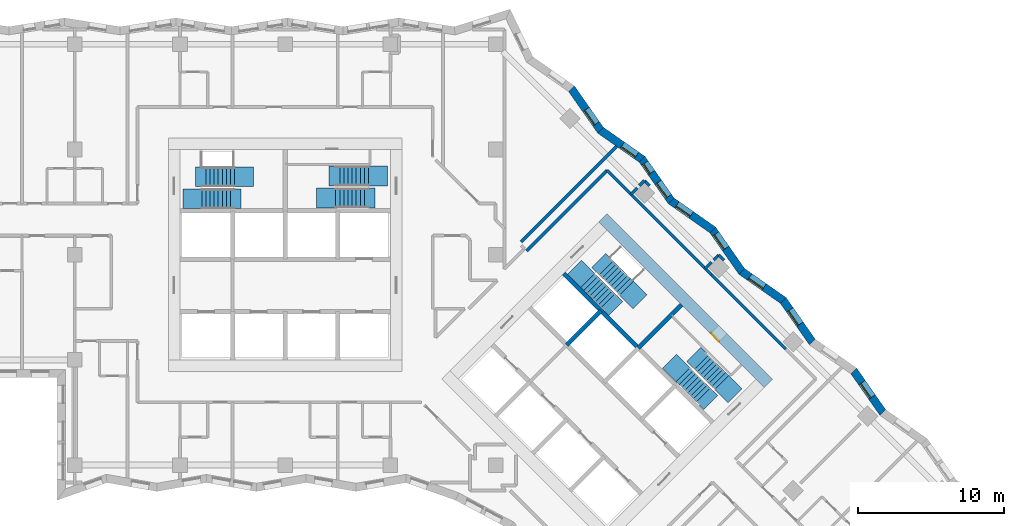
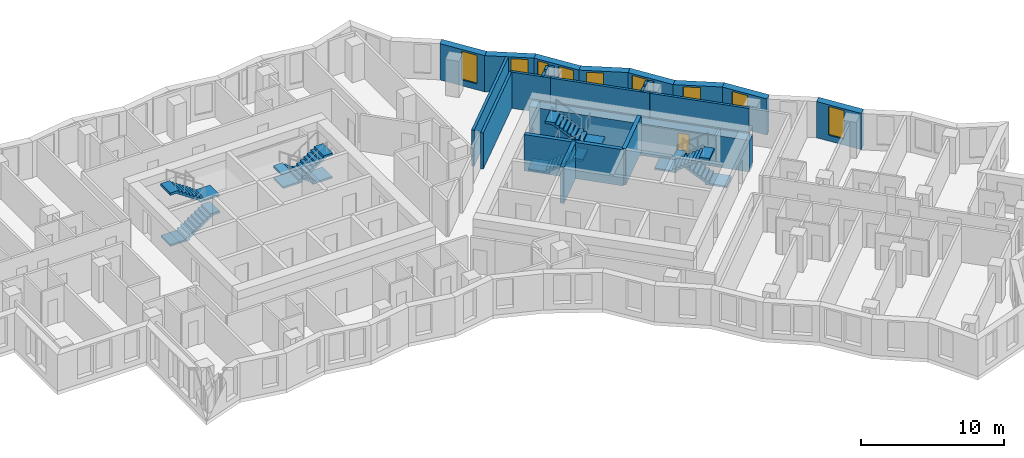
# One storey, part 11 of 13: 23 walls, 9 windows, 8 stair flights, 1 door, 10 openings, 4 elements without a shape of their own.
"""IFC4 building model written with IfcOpenShell, lengths in metres."""

from ifc_helpers import new_model, si_unit, direction, frame, frame_2d, origin, place, context, subcontext, project, spatial, polyline, rectangle, outline, extrude, material, layer, layer_set, type_object, element, fill, aggregate, save


model = new_model("IFC4")

# Units and contexts
model_context = context("Model", 3, precision=1e-05, world=origin(), true_north=direction((0.0, 1.0)))
body_context = subcontext(model_context, "Body", "Model", "MODEL_VIEW")
ifc_project = project(units=[si_unit("LENGTHUNIT", "METRE"), si_unit("AREAUNIT", "SQUARE_METRE"), si_unit("VOLUMEUNIT", "CUBIC_METRE"), si_unit("PLANEANGLEUNIT", "RADIAN"), si_unit("MASSUNIT", "GRAM", prefix="KILO")], contexts=[model_context])

# Site, building, storey
site_placement = place(None, origin())
site = spatial("IfcSite", under=ifc_project, at=site_placement, CompositionType="ELEMENT")
building_placement = place(site_placement, origin())
building = spatial("IfcBuilding", under=site, at=building_placement, Name="Windrow Commons", CompositionType="ELEMENT")
storey_placement = place(building_placement, frame((0.0, 0.0, 115.2)))
storey = spatial("IfcBuildingStorey", under=building, at=storey_placement, Name="L31", CompositionType="ELEMENT", Elevation=115.2)

# Wall, opening, window
ifc_material_1 = material(Name="Brick masonry, red clay brick", Category="masonry")
ifc_layer_1 = layer(ifc_material_1, 0.55)
ifc_layer_set_1 = layer_set([ifc_layer_1], Name="Brick facade wall 550")
wall_type_1 = type_object("IfcWallType", Name="Brick facade wall 550", PredefinedType="SOLIDWALL", material=ifc_layer_set_1)
wall_1_placement = place(storey_placement, frame((105.7016, 46.8005, 0.0), z_axis=(0.0, 0.0, 1.0), x_axis=(-0.5733365071, 0.8193199922, 0.0)))
wall_1 = element("IfcWall", 1, at=wall_1_placement, inside=storey, type_object=wall_type_1, Name="Brick facade wall L31 10", PredefinedType="SOLIDWALL", context=body_context, shape_type="SweptSolid", body=[
    extrude(outline(polyline([(0.0486, -0.275), (3.5154, -0.275), (3.4182, 0.275), (-0.0486, 0.275), (0.0486, -0.275)])), origin(), (0.0, 0.0, 1.0), 3.1),
])
opening_1_placement = place(wall_1_placement, frame((1.2925, 0.0, 0.5)))
opening_1 = element("IfcOpeningElement", 2, at=opening_1_placement, cuts=wall_1, Name="Opening W7D", PredefinedType="OPENING", context=body_context, shape_type="SweptSolid", body=[
    extrude(rectangle(XDim=1.2, YDim=2.45, at=frame_2d((0.6, 1.225))), frame((0.0, 0.285, 0.0), z_axis=(0.0, -1.0, 0.0), x_axis=(1.0, 0.0, 0.0)), (0.0, 0.0, 1.0), 0.57),
])
ifc_material_2 = material(Name="Clear float glass in anodised aluminium frame", Category="aluminium")
window_type_1 = type_object("IfcWindowType", Name="Window W7 notch 1200x2450", PartitioningType="SINGLE_PANEL", PredefinedType="WINDOW", material=ifc_material_2)
window_1_placement = place(opening_1_placement, origin())
window_1 = element("IfcWindow", 3, at=window_1_placement, inside=storey, type_object=window_type_1, Name="Window L31 10.1", OverallHeight=2.45, OverallWidth=1.2, PartitioningType="SINGLE_PANEL", PredefinedType="WINDOW", context=body_context, shape_type="SweptSolid", body=[
    extrude(rectangle(XDim=1.2, YDim=2.45, at=frame_2d((0.6, 1.225))), frame((0.0, 0.155, 0.0), z_axis=(0.0, -1.0, 0.0), x_axis=(1.0, 0.0, 0.0)), (0.0, 0.0, 1.0), 0.06),
])
fill(opening_1, window_1)

wall_2_placement = place(storey_placement, frame((100.8735, 51.6286, 0.0), z_axis=(0.0, 0.0, 1.0), x_axis=(-0.5733306936, 0.8193240603, 0.0)))
wall_2 = element("IfcWall", 4, at=wall_2_placement, inside=storey, type_object=wall_type_1, Name="Brick facade wall L31 12", PredefinedType="SOLIDWALL", context=body_context, shape_type="SweptSolid", body=[
    extrude(outline(polyline([(0.0486, -0.275), (3.5154, -0.275), (3.4182, 0.275), (-0.0486, 0.275), (0.0486, -0.275)])), origin(), (0.0, 0.0, 1.0), 3.1),
])
opening_2_placement = place(wall_2_placement, frame((1.4814, 0.0, 0.5)))
opening_2 = element("IfcOpeningElement", 5, at=opening_2_placement, cuts=wall_2, Name="Opening W7D", PredefinedType="OPENING", context=body_context, shape_type="SweptSolid", body=[
    extrude(rectangle(XDim=1.2, YDim=2.45, at=frame_2d((0.6, 1.225))), frame((0.0, 0.285, 0.0), z_axis=(0.0, -1.0, 0.0), x_axis=(1.0, 0.0, 0.0)), (0.0, 0.0, 1.0), 0.57),
])
window_2_placement = place(opening_2_placement, origin())
window_2 = element("IfcWindow", 6, at=window_2_placement, inside=storey, type_object=window_type_1, Name="Window L31 12.1", OverallHeight=2.45, OverallWidth=1.2, PartitioningType="SINGLE_PANEL", PredefinedType="WINDOW", context=body_context, shape_type="SweptSolid", body=[
    extrude(rectangle(XDim=1.2, YDim=2.45, at=frame_2d((0.6, 1.225))), frame((0.0, 0.155, 0.0), z_axis=(0.0, -1.0, 0.0), x_axis=(1.0, 0.0, 0.0)), (0.0, 0.0, 1.0), 0.06),
])
fill(opening_2, window_2)

wall_3_placement = place(storey_placement, frame((98.8859, 54.469, 0.0), z_axis=(0.0, 0.0, 1.0), x_axis=(-0.8193105103, 0.5733500568, 0.0)))
wall_3 = element("IfcWall", 7, at=wall_3_placement, inside=storey, type_object=wall_type_1, Name="Brick facade wall L31 13", PredefinedType="SOLIDWALL", context=body_context, shape_type="SweptSolid", body=[
    extrude(outline(polyline([(-0.0486, -0.275), (3.4182, -0.275), (3.5154, 0.275), (0.0486, 0.275), (-0.0486, -0.275)])), origin(), (0.0, 0.0, 1.0), 3.1),
])
opening_3_placement = place(wall_3_placement, frame((1.6002, 0.0, 0.5)))
opening_3 = element("IfcOpeningElement", 8, at=opening_3_placement, cuts=wall_3, Name="Opening W7D", PredefinedType="OPENING", context=body_context, shape_type="SweptSolid", body=[
    extrude(rectangle(XDim=1.2, YDim=2.45, at=frame_2d((0.6, 1.225))), frame((0.0, 0.285, 0.0), z_axis=(0.0, -1.0, 0.0), x_axis=(1.0, 0.0, 0.0)), (0.0, 0.0, 1.0), 0.57),
])
window_3_placement = place(opening_3_placement, origin())
window_3 = element("IfcWindow", 9, at=window_3_placement, inside=storey, type_object=window_type_1, Name="Window L31 13.1", OverallHeight=2.45, OverallWidth=1.2, PartitioningType="SINGLE_PANEL", PredefinedType="WINDOW", context=body_context, shape_type="SweptSolid", body=[
    extrude(rectangle(XDim=1.2, YDim=2.45, at=frame_2d((0.6, 1.225))), frame((0.0, 0.155, 0.0), z_axis=(0.0, -1.0, 0.0), x_axis=(1.0, 0.0, 0.0)), (0.0, 0.0, 1.0), 0.06),
])
fill(opening_3, window_3)

wall_4_placement = place(storey_placement, frame((96.0455, 56.4567, 0.0), z_axis=(0.0, 0.0, 1.0), x_axis=(-0.5733500568, 0.8193105103, 0.0)))
wall_4 = element("IfcWall", 10, at=wall_4_placement, inside=storey, type_object=wall_type_1, Name="Brick facade wall L31 14", PredefinedType="SOLIDWALL", context=body_context, shape_type="SweptSolid", body=[
    extrude(outline(polyline([(0.0486, -0.275), (3.5154, -0.275), (3.4182, 0.275), (-0.0486, 0.275), (0.0486, -0.275)])), origin(), (0.0, 0.0, 1.0), 3.1),
])
opening_4_placement = place(wall_4_placement, frame((1.9204, 0.0, 0.5)))
opening_4 = element("IfcOpeningElement", 11, at=opening_4_placement, cuts=wall_4, Name="Opening W7D", PredefinedType="OPENING", context=body_context, shape_type="SweptSolid", body=[
    extrude(rectangle(XDim=1.2, YDim=2.45, at=frame_2d((0.6, 1.225))), frame((0.0, 0.285, 0.0), z_axis=(0.0, -1.0, 0.0), x_axis=(1.0, 0.0, 0.0)), (0.0, 0.0, 1.0), 0.57),
])
window_4_placement = place(opening_4_placement, origin())
window_4 = element("IfcWindow", 12, at=window_4_placement, inside=storey, type_object=window_type_1, Name="Window L31 14.1", OverallHeight=2.45, OverallWidth=1.2, PartitioningType="SINGLE_PANEL", PredefinedType="WINDOW", context=body_context, shape_type="SweptSolid", body=[
    extrude(rectangle(XDim=1.2, YDim=2.45, at=frame_2d((0.6, 1.225))), frame((0.0, 0.155, 0.0), z_axis=(0.0, -1.0, 0.0), x_axis=(1.0, 0.0, 0.0)), (0.0, 0.0, 1.0), 0.06),
])
fill(opening_4, window_4)

wall_5_placement = place(storey_placement, frame((94.0578, 59.2971, 0.0), z_axis=(0.0, 0.0, 1.0), x_axis=(-0.8193240603, 0.5733306936, 0.0)))
wall_5 = element("IfcWall", 13, at=wall_5_placement, inside=storey, type_object=wall_type_1, Name="Brick facade wall L31 15", PredefinedType="SOLIDWALL", context=body_context, shape_type="SweptSolid", body=[
    extrude(outline(polyline([(-0.0486, -0.275), (3.4182, -0.275), (3.5154, 0.275), (0.0486, 0.275), (-0.0486, -0.275)])), origin(), (0.0, 0.0, 1.0), 3.1),
])
opening_5_placement = place(wall_5_placement, frame((1.7891, 0.0, 0.5)))
opening_5 = element("IfcOpeningElement", 14, at=opening_5_placement, cuts=wall_5, Name="Opening W7D", PredefinedType="OPENING", context=body_context, shape_type="SweptSolid", body=[
    extrude(rectangle(XDim=1.2, YDim=2.45, at=frame_2d((0.6, 1.225))), frame((0.0, 0.285, 0.0), z_axis=(0.0, -1.0, 0.0), x_axis=(1.0, 0.0, 0.0)), (0.0, 0.0, 1.0), 0.57),
])
window_5_placement = place(opening_5_placement, origin())
window_5 = element("IfcWindow", 15, at=window_5_placement, inside=storey, type_object=window_type_1, Name="Window L31 15.1", OverallHeight=2.45, OverallWidth=1.2, PartitioningType="SINGLE_PANEL", PredefinedType="WINDOW", context=body_context, shape_type="SweptSolid", body=[
    extrude(rectangle(XDim=1.2, YDim=2.45, at=frame_2d((0.6, 1.225))), frame((0.0, 0.155, 0.0), z_axis=(0.0, -1.0, 0.0), x_axis=(1.0, 0.0, 0.0)), (0.0, 0.0, 1.0), 0.06),
])
fill(opening_5, window_5)

# Wall, openings, windows
wall_6_placement = place(storey_placement, frame((91.2174, 61.2847, 0.0), z_axis=(0.0, 0.0, 1.0), x_axis=(-0.5733306936, 0.8193240603, 0.0)))
wall_6 = element("IfcWall", 16, at=wall_6_placement, inside=storey, type_object=wall_type_1, Name="Brick facade wall L31 16", PredefinedType="SOLIDWALL", context=body_context, shape_type="SweptSolid", body=[
    extrude(outline(polyline([(0.0486, -0.275), (3.5154, -0.275), (3.4182, 0.275), (-0.0486, 0.275), (0.0486, -0.275)])), origin(), (0.0, 0.0, 1.0), 3.1),
])
opening_6_placement = place(wall_6_placement, frame((0.3502, 0.0, 0.5)))
opening_6 = element("IfcOpeningElement", 17, at=opening_6_placement, cuts=wall_6, Name="Opening W7D", PredefinedType="OPENING", context=body_context, shape_type="SweptSolid", body=[
    extrude(rectangle(XDim=1.2, YDim=2.45, at=frame_2d((0.6, 1.225))), frame((0.0, 0.285, 0.0), z_axis=(0.0, -1.0, 0.0), x_axis=(1.0, 0.0, 0.0)), (0.0, 0.0, 1.0), 0.57),
])
opening_7_placement = place(wall_6_placement, frame((2.3514, 0.0, 0.45)))
opening_7 = element("IfcOpeningElement", 18, at=opening_7_placement, cuts=wall_6, Name="Opening W1N", PredefinedType="OPENING", context=body_context, shape_type="SweptSolid", body=[
    extrude(rectangle(XDim=0.8, YDim=2.5, at=frame_2d((0.4, 1.25))), frame((0.0, 0.285, 0.0), z_axis=(0.0, -1.0, 0.0), x_axis=(1.0, 0.0, 0.0)), (0.0, 0.0, 1.0), 0.57),
])
ifc_material_3 = material(Name="Clear float glass in anodised aluminium frame", Category="aluminium")
window_type_2 = type_object("IfcWindowType", Name="Window W1N slit 800x2500", PartitioningType="SINGLE_PANEL", PredefinedType="WINDOW", material=ifc_material_3)
window_6_placement = place(opening_7_placement, origin())
window_6 = element("IfcWindow", 19, at=window_6_placement, inside=storey, type_object=window_type_2, Name="Window L31 16.2A", OverallHeight=2.5, OverallWidth=0.8, PartitioningType="SINGLE_PANEL", PredefinedType="WINDOW", context=body_context, shape_type="SweptSolid", body=[
    extrude(rectangle(XDim=0.8, YDim=2.5, at=frame_2d((0.4, 1.25))), frame((0.0, 0.155, 0.0), z_axis=(0.0, -1.0, 0.0), x_axis=(1.0, 0.0, 0.0)), (0.0, 0.0, 1.0), 0.06),
])
fill(opening_7, window_6)
window_7_placement = place(opening_6_placement, origin())
window_7 = element("IfcWindow", 20, at=window_7_placement, inside=storey, type_object=window_type_1, Name="Window L31 16.1", OverallHeight=2.45, OverallWidth=1.2, PartitioningType="SINGLE_PANEL", PredefinedType="WINDOW", context=body_context, shape_type="SweptSolid", body=[
    extrude(rectangle(XDim=1.2, YDim=2.45, at=frame_2d((0.6, 1.225))), frame((0.0, 0.155, 0.0), z_axis=(0.0, -1.0, 0.0), x_axis=(1.0, 0.0, 0.0)), (0.0, 0.0, 1.0), 0.06),
])
fill(opening_6, window_7)

# Wall, opening, window
wall_7_placement = place(storey_placement, frame((89.2298, 64.1251, 0.0), z_axis=(0.0, 0.0, 1.0), x_axis=(-0.8193105103, 0.5733500568, 0.0)))
wall_7 = element("IfcWall", 21, at=wall_7_placement, inside=storey, type_object=wall_type_1, Name="Brick facade wall L31 17", PredefinedType="SOLIDWALL", context=body_context, shape_type="SweptSolid", body=[
    extrude(outline(polyline([(-0.0486, -0.275), (3.4182, -0.275), (3.5154, 0.275), (0.0486, 0.275), (-0.0486, -0.275)])), origin(), (0.0, 0.0, 1.0), 3.1),
])
opening_8_placement = place(wall_7_placement, frame((0.4689, 0.0, 0.5)))
opening_8 = element("IfcOpeningElement", 22, at=opening_8_placement, cuts=wall_7, Name="Opening W7D", PredefinedType="OPENING", context=body_context, shape_type="SweptSolid", body=[
    extrude(rectangle(XDim=1.2, YDim=2.45, at=frame_2d((0.6, 1.225))), frame((0.0, 0.285, 0.0), z_axis=(0.0, -1.0, 0.0), x_axis=(1.0, 0.0, 0.0)), (0.0, 0.0, 1.0), 0.57),
])
window_8_placement = place(opening_8_placement, origin())
window_8 = element("IfcWindow", 23, at=window_8_placement, inside=storey, type_object=window_type_1, Name="Window L31 17.1", OverallHeight=2.45, OverallWidth=1.2, PartitioningType="SINGLE_PANEL", PredefinedType="WINDOW", context=body_context, shape_type="SweptSolid", body=[
    extrude(rectangle(XDim=1.2, YDim=2.45, at=frame_2d((0.6, 1.225))), frame((0.0, 0.155, 0.0), z_axis=(0.0, -1.0, 0.0), x_axis=(1.0, 0.0, 0.0)), (0.0, 0.0, 1.0), 0.06),
])
fill(opening_8, window_8)

wall_8_placement = place(storey_placement, frame((86.3894, 66.1128, 0.0), z_axis=(0.0, 0.0, 1.0), x_axis=(-0.5733500568, 0.8193105103, 0.0)))
wall_8 = element("IfcWall", 24, at=wall_8_placement, inside=storey, type_object=wall_type_1, Name="Brick facade wall L31 18", PredefinedType="SOLIDWALL", context=body_context, shape_type="SweptSolid", body=[
    extrude(outline(polyline([(0.0486, -0.275), (3.5154, -0.275), (3.4182, 0.275), (-0.0486, 0.275), (0.0486, -0.275)])), origin(), (0.0, 0.0, 1.0), 3.1),
])
opening_9_placement = place(wall_8_placement, frame((0.5391, 0.0, 0.5)))
opening_9 = element("IfcOpeningElement", 25, at=opening_9_placement, cuts=wall_8, Name="Opening W7D", PredefinedType="OPENING", context=body_context, shape_type="SweptSolid", body=[
    extrude(rectangle(XDim=1.2, YDim=2.45, at=frame_2d((0.6, 1.225))), frame((0.0, 0.285, 0.0), z_axis=(0.0, -1.0, 0.0), x_axis=(1.0, 0.0, 0.0)), (0.0, 0.0, 1.0), 0.57),
])
window_9_placement = place(opening_9_placement, origin())
window_9 = element("IfcWindow", 26, at=window_9_placement, inside=storey, type_object=window_type_1, Name="Window L31 18.1", OverallHeight=2.45, OverallWidth=1.2, PartitioningType="SINGLE_PANEL", PredefinedType="WINDOW", context=body_context, shape_type="SweptSolid", body=[
    extrude(rectangle(XDim=1.2, YDim=2.45, at=frame_2d((0.6, 1.225))), frame((0.0, 0.155, 0.0), z_axis=(0.0, -1.0, 0.0), x_axis=(1.0, 0.0, 0.0)), (0.0, 0.0, 1.0), 0.06),
])
fill(opening_9, window_9)

# Walls
ifc_material_4 = material(Name="Blockwork partition", Category="masonry")
ifc_layer_2 = layer(ifc_material_4, 0.2)
ifc_layer_set_2 = layer_set([ifc_layer_2], Name="IW-CORRIDOR-200")
wall_type_2 = type_object("IfcWallType", Name="IW-CORRIDOR-200", PredefinedType="PARTITIONING", material=ifc_layer_set_2)
wall_9_placement = place(storey_placement, frame((81.3224, 57.8576, 0.0), z_axis=(0.0, 0.0, 1.0), x_axis=(0.7069785544, 0.7072349848, 0.0)))
element("IfcWall", 27, at=wall_9_placement, inside=storey, type_object=wall_type_2, Name="W-L31-W016", PredefinedType="PARTITIONING", context=body_context, shape_type="SweptSolid", body=[
    extrude(rectangle(XDim=7.7994, YDim=0.2, at=frame_2d((3.8997, 0.0))), origin(), (0.0, 0.0, 1.0), 3.1),
])
wall_10_placement = place(storey_placement, frame((88.8888, 61.3148, 0.0), z_axis=(0.0, 0.0, 1.0), x_axis=(0.7071067812, -0.7071067812, 0.0)))
element("IfcWall", 28, at=wall_10_placement, inside=storey, type_object=wall_type_2, Name="W-L31-W020", PredefinedType="PARTITIONING", context=body_context, shape_type="SweptSolid", body=[
    extrude(rectangle(XDim=7.187, YDim=0.2, at=frame_2d((3.5935, 0.0))), origin(), (0.0, 0.0, 1.0), 3.1),
])
wall_11_placement = place(storey_placement, frame((93.9808, 56.2228, 0.0), z_axis=(0.0, 0.0, 1.0), x_axis=(0.7071067812, -0.7071067812, 0.0)))
element("IfcWall", 29, at=wall_11_placement, inside=storey, type_object=wall_type_2, Name="W-L31-W021", PredefinedType="PARTITIONING", context=body_context, shape_type="SweptSolid", body=[
    extrude(rectangle(XDim=7.1842, YDim=0.2, at=frame_2d((3.5921, 0.0))), origin(), (0.0, 0.0, 1.0), 3.1),
])
wall_12_placement = place(storey_placement, frame((86.8328, 63.3708, 0.0), z_axis=(0.0, 0.0, 1.0), x_axis=(0.7071067812, -0.7071067812, 0.0)))
element("IfcWall", 30, at=wall_12_placement, inside=storey, type_object=wall_type_2, Name="W-L31-W071", PredefinedType="PARTITIONING", context=body_context, shape_type="SweptSolid", body=[
    extrude(rectangle(XDim=2.8935, YDim=0.2, at=frame_2d((1.4467, 0.0))), origin(), (0.0, 0.0, 1.0), 3.1),
])
ifc_material_5 = material(Name="Blockwork partition", Category="masonry")
ifc_layer_3 = layer(ifc_material_5, 0.2)
ifc_layer_set_3 = layer_set([ifc_layer_3], Name="IW-PARTY-200")
wall_type_3 = type_object("IfcWallType", Name="IW-PARTY-200", PredefinedType="PARTITIONING", material=ifc_layer_set_3)
wall_13_placement = place(storey_placement, frame((80.9489, 58.4771, 0.0), z_axis=(0.0, 0.0, 1.0), x_axis=(0.7071067812, 0.7071067812, 0.0)))
element("IfcWall", 31, at=wall_13_placement, inside=storey, type_object=wall_type_3, Name="W-L31-W013", PredefinedType="PARTITIONING", context=body_context, shape_type="SweptSolid", body=[
    extrude(rectangle(XDim=9.2412, YDim=0.2, at=frame_2d((4.6206, 0.0))), origin(), (0.0, 0.0, 1.0), 3.1),
])
for number, where, z_axis, x_axis, name in (
    (32, (93.5559, 56.6541, 0.0), (0.0, 0.0, 1.0), (0.7087923682, 0.7054171665, 0.0), "W-L31-W193"),
    (33, (88.4669, 61.7431, 0.0), (0.0, 0.0, 1.0), (0.7054171665, 0.7087923682, 0.0), "W-L31-W194"),
):
    element("IfcWall", number, at=place(storey_placement, frame(where, z_axis=z_axis, x_axis=x_axis)), inside=storey, type_object=wall_type_3, Name=name, PredefinedType="PARTITIONING", context=body_context, shape_type="SweptSolid", body=[
        extrude(rectangle(XDim=0.5926, YDim=0.2, at=frame_2d((0.2963, 0.0))), origin(), (0.0, 0.0, 1.0), 3.1),
    ])
for number, where, z_axis, x_axis, name in (
    (34, (94.4781, 57.5781, 0.0), (0.0, 0.0, 1.0), (0.7071067812, -0.7071067812, 0.0), "W-L31-W202"),
    (35, (89.0332, 62.3188, 0.0), (0.0, 0.0, 1.0), (0.7071067812, 0.7071067812, 0.0), "W-L31-W203"),
    (36, (89.3861, 62.6701, 0.0), (0.0, 0.0, 1.0), (0.7071067812, -0.7071067812, 0.0), "W-L31-W204"),
    (37, (94.1244, 57.2276, 0.0), (0.0, 0.0, 1.0), (0.7071067812, 0.7071067812, 0.0), "W-L31-W205"),
):
    element("IfcWall", number, at=place(storey_placement, frame(where, z_axis=z_axis, x_axis=x_axis)), inside=storey, type_object=wall_type_3, Name=name, PredefinedType="PARTITIONING", context=body_context, shape_type="SweptSolid", body=[
        extrude(rectangle(XDim=0.4978, YDim=0.2, at=frame_2d((0.2489, 0.0))), origin(), (0.0, 0.0, 1.0), 3.1),
    ])

# Wall, opening, door
ifc_material_6 = material(Name="Concrete C50/60", Category="concrete")
ifc_layer_4 = layer(ifc_material_6, 0.8)
ifc_layer_set_4 = layer_set([ifc_layer_4], Name="RC CORE WALL 800 C50/60")
wall_type_4 = type_object("IfcWallType", Name="RC CORE WALL 800 C50/60", PredefinedType="SHEAR", material=ifc_layer_set_4)
wall_14_placement = place(storey_placement, frame((86.5539, 60.1206, -0.3), z_axis=(0.0, 0.0, 1.0), x_axis=(0.7071067812, -0.7071067812, 0.0)))
wall_14 = element("IfcWall", 38, at=wall_14_placement, inside=storey, type_object=wall_type_4, Name="Core B wall outer-N", PredefinedType="SHEAR", context=body_context, shape_type="SweptSolid", body=[
    extrude(rectangle(XDim=16.0, YDim=0.8, at=frame_2d((8.0, 0.0))), origin(), (0.0, 0.0, 1.0), 2.7),
])
opening_10_placement = place(wall_14_placement, frame((10.8, 0.0, 0.3)))
opening_10 = element("IfcOpeningElement", 39, at=opening_10_placement, cuts=wall_14, Name="Opening D9", PredefinedType="OPENING", context=body_context, shape_type="SweptSolid", body=[
    extrude(rectangle(XDim=0.8, YDim=2.1, at=frame_2d((0.4, 1.05))), frame((0.0, 0.41, 0.0), z_axis=(0.0, -1.0, 0.0), x_axis=(1.0, 0.0, 0.0)), (0.0, 0.0, 1.0), 0.82),
])
ifc_material_7 = material(Name="Steel fire door leaf", Category="steel")
door_type = type_object("IfcDoorType", Name="Riser access door 800", OperationType="SINGLE_SWING_LEFT", PredefinedType="DOOR", material=ifc_material_7)
door_placement = place(opening_10_placement, origin())
door = element("IfcDoor", 40, at=door_placement, inside=storey, type_object=door_type, Name="Riser access door", OperationType="SINGLE_SWING_RIGHT", OverallHeight=2.1, OverallWidth=0.8, PredefinedType="DOOR", context=body_context, shape_type="SweptSolid", body=[
    extrude(rectangle(XDim=0.8, YDim=2.1, at=frame_2d((0.4, 1.05))), frame((0.0, -0.34, 0.0), z_axis=(0.0, -1.0, 0.0), x_axis=(1.0, 0.0, 0.0)), (0.0, 0.0, 1.0), 0.05),
])
fill(opening_10, door)

# Walls
ifc_material_8 = material(Name="Concrete C50/60", Category="concrete")
ifc_layer_5 = layer(ifc_material_8, 0.3)
ifc_layer_set_5 = layer_set([ifc_layer_5], Name="RC SHAFT WALL 300 C50/60")
wall_type_5 = type_object("IfcWallType", Name="RC SHAFT WALL 300 C50/60", PredefinedType="SOLIDWALL", material=ifc_layer_set_5)
wall_15_placement = place(storey_placement, frame((84.079, 51.4232, 0.0), z_axis=(0.0, 0.0, 1.0), x_axis=(0.7071219326, 0.7070916295, 0.0)))
element("IfcWall", 41, at=wall_15_placement, inside=storey, type_object=wall_type_5, Name="Core B wall shaft-N1", PredefinedType="SOLIDWALL", context=body_context, shape_type="SweptSolid", body=[
    extrude(rectangle(XDim=3.3, YDim=0.3, at=frame_2d((1.65, 0.0))), origin(), (0.0, 0.0, 1.0), 3.1),
])
wall_16_placement = place(storey_placement, frame((83.8669, 56.3022, 0.0), z_axis=(0.0, 0.0, 1.0), x_axis=(0.7071137256, -0.7070998367, 0.0)))
element("IfcWall", 42, at=wall_16_placement, inside=storey, type_object=wall_type_5, Name="Core B wall stair-S", PredefinedType="SOLIDWALL", context=body_context, shape_type="SweptSolid", body=[
    extrude(rectangle(XDim=7.2, YDim=0.3, at=frame_2d((3.6, 0.0))), origin(), (0.0, 0.0, 1.0), 3.1),
])
wall_17_placement = place(storey_placement, frame((88.9581, 51.2111, 0.0), z_axis=(0.0, 0.0, 1.0), x_axis=(0.7071067812, 0.7071067812, 0.0)))
element("IfcWall", 43, at=wall_17_placement, inside=storey, type_object=wall_type_5, Name="Core B wall stair-mid", PredefinedType="SOLIDWALL", context=body_context, shape_type="SweptSolid", body=[
    extrude(rectangle(XDim=4.1999, YDim=0.3, at=frame_2d((2.1, 0.0))), origin(), (0.0, 0.0, 1.0), 3.1),
])

# Stair, stair flights
ifc_material_9 = material(Name="Concrete C40/50", Category="concrete")
stair_type = type_object("IfcStairType", Name="Core stair", PredefinedType="HALF_TURN_STAIR", material=ifc_material_9)
placement = place(storey_placement, origin())
stair_1 = element("IfcStair", 44, at=placement, inside=storey, type_object=stair_type, Name="L31 Exit stair A1 core A", PredefinedType="HALF_TURN_STAIR")
ifc_material_10 = material(Name="Concrete C40/50", Category="concrete")
stair_flight_type = type_object("IfcStairFlightType", Name="Core stair flight", PredefinedType="STRAIGHT", material=ifc_material_10)
stair_flight_1_placement = place(storey_placement, frame((59.1, 61.425, 0.0), z_axis=(0.0, 0.0, 1.0), x_axis=(1.0, 0.0, 0.0)))
stair_flight_1 = element("IfcStairFlight", 45, at=stair_flight_1_placement, type_object=stair_flight_type, Name="ST-A1 flight 1", NumberOfRisers=9, NumberOfTreads=8, PredefinedType="STRAIGHT", RiserHeight=0.188888889, TreadLength=0.28, context=body_context, shape_type="SweptSolid", body=[
    extrude(outline(polyline([(-1.3, -0.15), (-1.3, 0.0), (0.0, 0.0), (0.0, 0.1889), (0.28, 0.1889), (0.28, 0.3778), (0.56, 0.3778), (0.56, 0.5667), (0.84, 0.5667), (0.84, 0.7556), (1.12, 0.7556), (1.12, 0.9444), (1.4, 0.9444), (1.4, 1.1333), (1.68, 1.1333), (1.68, 1.3222), (1.96, 1.3222), (1.96, 1.5111), (2.24, 1.5111), (2.69, 1.5111), (2.69, 1.3111), (2.24, 1.3111), (2.24, 1.3302), (0.2682, 0.0), (0.2682, -0.15), (-1.3, -0.15)])), frame((0.0, 0.675, 0.0), z_axis=(0.0, -1.0, 0.0), x_axis=(1.0, 0.0, 0.0)), (0.0, 0.0, 1.0), 1.35),
])
stair_flight_2_placement = place(storey_placement, frame((61.34, 62.925, 1.7), z_axis=(0.0, 0.0, 1.0), x_axis=(-1.0, 0.0, 0.0)))
stair_flight_2 = element("IfcStairFlight", 46, at=stair_flight_2_placement, type_object=stair_flight_type, Name="ST-A1 flight 2", NumberOfRisers=9, NumberOfTreads=8, PredefinedType="STRAIGHT", RiserHeight=0.188888889, TreadLength=0.28, context=body_context, shape_type="SweptSolid", body=[
    extrude(outline(polyline([(-1.3, -0.15), (-1.3, 0.0), (0.0, 0.0), (0.0, 0.1889), (0.28, 0.1889), (0.28, 0.3778), (0.56, 0.3778), (0.56, 0.5667), (0.84, 0.5667), (0.84, 0.7556), (1.12, 0.7556), (1.12, 0.9444), (1.4, 0.9444), (1.4, 1.1333), (1.68, 1.1333), (1.68, 1.3222), (1.96, 1.3222), (1.96, 1.5111), (2.24, 1.5111), (2.69, 1.5111), (2.69, 1.3111), (2.24, 1.3111), (2.24, 1.3302), (0.2682, 0.0), (0.2682, -0.15), (-1.3, -0.15)])), frame((0.0, 0.675, 0.0), z_axis=(0.0, -1.0, 0.0), x_axis=(1.0, 0.0, 0.0)), (0.0, 0.0, 1.0), 1.35),
])
aggregate(stair_1, [stair_flight_1, stair_flight_2])

stair_2 = element("IfcStair", 47, at=placement, inside=storey, type_object=stair_type, Name="L31 Exit stair A2 core A", PredefinedType="HALF_TURN_STAIR")
stair_flight_3_placement = place(storey_placement, frame((70.5, 62.98, 0.0), z_axis=(0.0, 0.0, 1.0), x_axis=(-1.0, 0.0, 0.0)))
stair_flight_3 = element("IfcStairFlight", 48, at=stair_flight_3_placement, type_object=stair_flight_type, Name="ST-A2 flight 1", NumberOfRisers=9, NumberOfTreads=8, PredefinedType="STRAIGHT", RiserHeight=0.188888889, TreadLength=0.28, context=body_context, shape_type="SweptSolid", body=[
    extrude(outline(polyline([(-1.3, -0.15), (-1.3, 0.0), (0.0, 0.0), (0.0, 0.1889), (0.28, 0.1889), (0.28, 0.3778), (0.56, 0.3778), (0.56, 0.5667), (0.84, 0.5667), (0.84, 0.7556), (1.12, 0.7556), (1.12, 0.9444), (1.4, 0.9444), (1.4, 1.1333), (1.68, 1.1333), (1.68, 1.3222), (1.96, 1.3222), (1.96, 1.5111), (2.24, 1.5111), (2.69, 1.5111), (2.69, 1.3111), (2.24, 1.3111), (2.24, 1.3302), (0.2682, 0.0), (0.2682, -0.15), (-1.3, -0.15)])), frame((0.0, 0.675, 0.0), z_axis=(0.0, -1.0, 0.0), x_axis=(1.0, 0.0, 0.0)), (0.0, 0.0, 1.0), 1.35),
])
stair_flight_4_placement = place(storey_placement, frame((68.26, 61.48, 1.7), z_axis=(0.0, 0.0, 1.0), x_axis=(1.0, 0.0, 0.0)))
stair_flight_4 = element("IfcStairFlight", 49, at=stair_flight_4_placement, type_object=stair_flight_type, Name="ST-A2 flight 2", NumberOfRisers=9, NumberOfTreads=8, PredefinedType="STRAIGHT", RiserHeight=0.188888889, TreadLength=0.28, context=body_context, shape_type="SweptSolid", body=[
    extrude(outline(polyline([(-1.3, -0.15), (-1.3, 0.0), (0.0, 0.0), (0.0, 0.1889), (0.28, 0.1889), (0.28, 0.3778), (0.56, 0.3778), (0.56, 0.5667), (0.84, 0.5667), (0.84, 0.7556), (1.12, 0.7556), (1.12, 0.9444), (1.4, 0.9444), (1.4, 1.1333), (1.68, 1.1333), (1.68, 1.3222), (1.96, 1.3222), (1.96, 1.5111), (2.24, 1.5111), (2.69, 1.5111), (2.69, 1.3111), (2.24, 1.3111), (2.24, 1.3302), (0.2682, 0.0), (0.2682, -0.15), (-1.3, -0.15)])), frame((0.0, 0.675, 0.0), z_axis=(0.0, -1.0, 0.0), x_axis=(1.0, 0.0, 0.0)), (0.0, 0.0, 1.0), 1.35),
])
aggregate(stair_2, [stair_flight_3, stair_flight_4])

stair_3 = element("IfcStair", 50, at=placement, inside=storey, type_object=stair_type, Name="L31 Exit stair B1 core B", PredefinedType="HALF_TURN_STAIR")
stair_flight_5_placement = place(storey_placement, frame((85.5109, 55.8249, 0.0), z_axis=(0.0, 0.0, 1.0), x_axis=(0.7071067812, -0.7071067812, 0.0)))
stair_flight_5 = element("IfcStairFlight", 51, at=stair_flight_5_placement, type_object=stair_flight_type, Name="ST-B1 flight 1", NumberOfRisers=9, NumberOfTreads=8, PredefinedType="STRAIGHT", RiserHeight=0.188888889, TreadLength=0.28, context=body_context, shape_type="SweptSolid", body=[
    extrude(outline(polyline([(-1.3, -0.15), (-1.3, 0.0), (0.0, 0.0), (0.0, 0.1889), (0.28, 0.1889), (0.28, 0.3778), (0.56, 0.3778), (0.56, 0.5667), (0.84, 0.5667), (0.84, 0.7556), (1.12, 0.7556), (1.12, 0.9444), (1.4, 0.9444), (1.4, 1.1333), (1.68, 1.1333), (1.68, 1.3222), (1.96, 1.3222), (1.96, 1.5111), (2.24, 1.5111), (2.69, 1.5111), (2.69, 1.3111), (2.24, 1.3111), (2.24, 1.3302), (0.2682, 0.0), (0.2682, -0.15), (-1.3, -0.15)])), frame((0.0, 0.675, 0.0), z_axis=(0.0, -1.0, 0.0), x_axis=(1.0, 0.0, 0.0)), (0.0, 0.0, 1.0), 1.35),
])
stair_flight_6_placement = place(storey_placement, frame((88.1555, 55.3017, 1.7), z_axis=(0.0, 0.0, 1.0), x_axis=(-0.7071067812, 0.7071067812, 0.0)))
stair_flight_6 = element("IfcStairFlight", 52, at=stair_flight_6_placement, type_object=stair_flight_type, Name="ST-B1 flight 2", NumberOfRisers=9, NumberOfTreads=8, PredefinedType="STRAIGHT", RiserHeight=0.188888889, TreadLength=0.28, context=body_context, shape_type="SweptSolid", body=[
    extrude(outline(polyline([(-1.3, -0.15), (-1.3, 0.0), (0.0, 0.0), (0.0, 0.1889), (0.28, 0.1889), (0.28, 0.3778), (0.56, 0.3778), (0.56, 0.5667), (0.84, 0.5667), (0.84, 0.7556), (1.12, 0.7556), (1.12, 0.9444), (1.4, 0.9444), (1.4, 1.1333), (1.68, 1.1333), (1.68, 1.3222), (1.96, 1.3222), (1.96, 1.5111), (2.24, 1.5111), (2.69, 1.5111), (2.69, 1.3111), (2.24, 1.3111), (2.24, 1.3302), (0.2682, 0.0), (0.2682, -0.15), (-1.3, -0.15)])), frame((0.0, 0.675, 0.0), z_axis=(0.0, -1.0, 0.0), x_axis=(1.0, 0.0, 0.0)), (0.0, 0.0, 1.0), 1.35),
])
aggregate(stair_3, [stair_flight_5, stair_flight_6])

stair_4 = element("IfcStair", 53, at=placement, inside=storey, type_object=stair_type, Name="L31 Exit stair B2 core B", PredefinedType="HALF_TURN_STAIR")
stair_flight_7_placement = place(storey_placement, frame((94.6715, 48.8635, 0.0), z_axis=(0.0, 0.0, 1.0), x_axis=(-0.7071067812, 0.7071067812, 0.0)))
stair_flight_7 = element("IfcStairFlight", 54, at=stair_flight_7_placement, type_object=stair_flight_type, Name="ST-B2 flight 1", NumberOfRisers=9, NumberOfTreads=8, PredefinedType="STRAIGHT", RiserHeight=0.188888889, TreadLength=0.28, context=body_context, shape_type="SweptSolid", body=[
    extrude(outline(polyline([(-1.3, -0.15), (-1.3, 0.0), (0.0, 0.0), (0.0, 0.1889), (0.28, 0.1889), (0.28, 0.3778), (0.56, 0.3778), (0.56, 0.5667), (0.84, 0.5667), (0.84, 0.7556), (1.12, 0.7556), (1.12, 0.9444), (1.4, 0.9444), (1.4, 1.1333), (1.68, 1.1333), (1.68, 1.3222), (1.96, 1.3222), (1.96, 1.5111), (2.24, 1.5111), (2.69, 1.5111), (2.69, 1.3111), (2.24, 1.3111), (2.24, 1.3302), (0.2682, 0.0), (0.2682, -0.15), (-1.3, -0.15)])), frame((0.0, 0.675, 0.0), z_axis=(0.0, -1.0, 0.0), x_axis=(1.0, 0.0, 0.0)), (0.0, 0.0, 1.0), 1.35),
])
stair_flight_8_placement = place(storey_placement, frame((92.0269, 49.3867, 1.7), z_axis=(0.0, 0.0, 1.0), x_axis=(0.7071067812, -0.7071067812, 0.0)))
stair_flight_8 = element("IfcStairFlight", 55, at=stair_flight_8_placement, type_object=stair_flight_type, Name="ST-B2 flight 2", NumberOfRisers=9, NumberOfTreads=8, PredefinedType="STRAIGHT", RiserHeight=0.188888889, TreadLength=0.28, context=body_context, shape_type="SweptSolid", body=[
    extrude(outline(polyline([(-1.3, -0.15), (-1.3, 0.0), (0.0, 0.0), (0.0, 0.1889), (0.28, 0.1889), (0.28, 0.3778), (0.56, 0.3778), (0.56, 0.5667), (0.84, 0.5667), (0.84, 0.7556), (1.12, 0.7556), (1.12, 0.9444), (1.4, 0.9444), (1.4, 1.1333), (1.68, 1.1333), (1.68, 1.3222), (1.96, 1.3222), (1.96, 1.5111), (2.24, 1.5111), (2.69, 1.5111), (2.69, 1.3111), (2.24, 1.3111), (2.24, 1.3302), (0.2682, 0.0), (0.2682, -0.15), (-1.3, -0.15)])), frame((0.0, 0.675, 0.0), z_axis=(0.0, -1.0, 0.0), x_axis=(1.0, 0.0, 0.0)), (0.0, 0.0, 1.0), 1.35),
])
aggregate(stair_4, [stair_flight_7, stair_flight_8])

save(model, "model.ifc")
